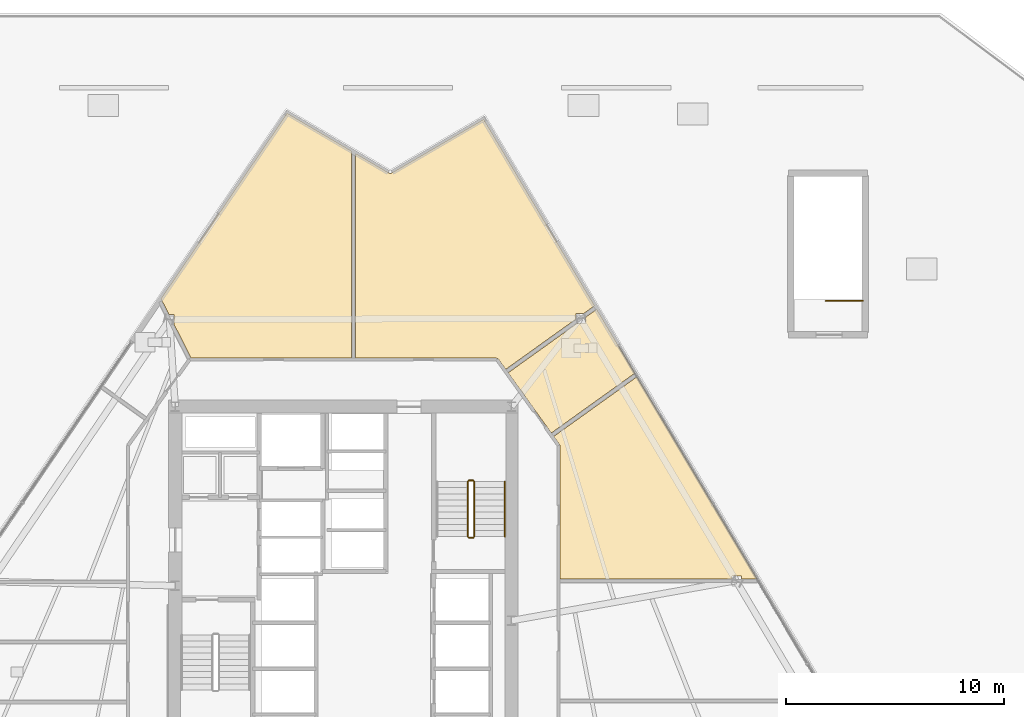
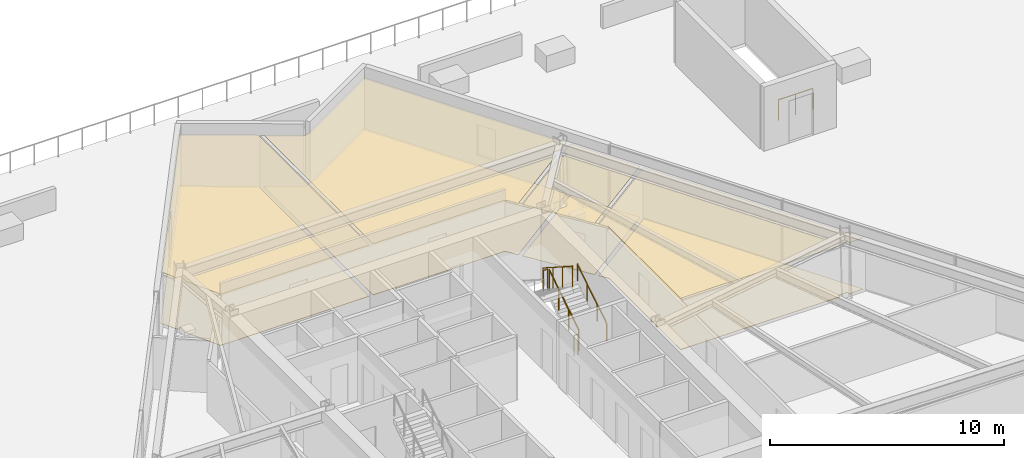
# One storey, part 17 of 19: 8 coverings, 6 railings.
"""IFC4 building model written with IfcOpenShell, lengths in metres."""

from ifc_helpers import new_model, si_unit, direction, frame, origin, origin_2d, place, context, subcontext, project, spatial, polyline, circle, outline, extrude, material, layer, layer_set, type_object, element, save


model = new_model("IFC4")

# Units and contexts
model_context = context("Model", 3, precision=1e-05, world=origin(), true_north=direction((0.0, 1.0)))
body_context = subcontext(model_context, "Body", "Model", "MODEL_VIEW")
ifc_project = project(units=[si_unit("LENGTHUNIT", "METRE"), si_unit("AREAUNIT", "SQUARE_METRE"), si_unit("VOLUMEUNIT", "CUBIC_METRE"), si_unit("PLANEANGLEUNIT", "RADIAN"), si_unit("MASSUNIT", "GRAM", prefix="KILO")], contexts=[model_context])

# Site, building, storey
site_placement = place(None, origin())
site = spatial("IfcSite", under=ifc_project, at=site_placement, CompositionType="ELEMENT")
building_placement = place(site_placement, origin())
building = spatial("IfcBuilding", under=site, at=building_placement, Name="Savorim Split Tower", CompositionType="ELEMENT")
storey_placement = place(building_placement, frame((0.0, 0.0, 26.39990234375)))
storey = spatial("IfcBuildingStorey", under=building, at=storey_placement, Name="L06", CompositionType="ELEMENT", Elevation=26.39990234375)

# Coverings
ifc_material_1 = material(Name="Mineral Fibre Acoustic Ceiling")
ifc_layer_1 = layer(ifc_material_1, 0.02490234375)
ifc_layer_set_1 = layer_set([ifc_layer_1], Name="COV-CEIL-25")
covering_type_1 = type_object("IfcCoveringType", Name="COV-CEIL-25", PredefinedType="CEILING", material=ifc_layer_set_1)
covering_1_placement = place(storey_placement, frame((0.0, 0.0, 2.670166015625)))
element("IfcCovering", 1, at=covering_1_placement, inside=storey, type_object=covering_type_1, Name="L06 Communal Dining Hall Acoustic Ceiling", PredefinedType="CEILING", context=body_context, shape_type="SweptSolid", body=[
    extrude(outline(polyline([(18.2333984375, 2.45263671875), (18.2333984375, 2.314697265625), (18.94677734375, 2.314697265625), (18.948486328125, 2.314697265625), (13.446044921875, 11.568115234375), (9.637451171875, 8.839111328125), (9.893798828125, 8.4814453125), (9.901611328125, 8.46923828125), (9.908203125, 8.456298828125), (9.913330078125, 8.44287109375), (9.9169921875, 8.4287109375), (9.919189453125, 8.41455078125), (9.919921875, 8.39990234375), (9.919921875, 2.314697265625), (17.797607421875, 2.314697265625), (17.797607421875, 2.45263671875), (18.2333984375, 2.45263671875)])), origin(), (0.0, 0.0, 1.0), 0.02490234375),
])
covering_2_placement = place(storey_placement, frame((0.0, 0.0, 2.670166015625)))
element("IfcCovering", 2, at=covering_2_placement, inside=storey, type_object=covering_type_1, Name="L06 Shared Bathroom Acoustic Ceiling", PredefinedType="CEILING", context=body_context, shape_type="SweptSolid", body=[
    extrude(outline(polyline([(11.08251953125, 14.012939453125), (10.702392578125, 14.012939453125), (7.54931640625, 11.753662109375), (9.52685546875, 8.99365234375), (13.3486328125, 11.73193359375), (11.60693359375, 14.660888671875), (11.08251953125, 14.28515625), (11.08251953125, 14.012939453125)])), origin(), (0.0, 0.0, 1.0), 0.02490234375),
])
covering_3_placement = place(storey_placement, frame((0.0, 0.0, 2.670166015625)))
element("IfcCovering", 3, at=covering_3_placement, inside=storey, type_object=covering_type_1, Name="L06 Co-Working Commons Acoustic Ceiling", PredefinedType="CEILING", context=body_context, shape_type="SweptSolid", body=[
    extrude(outline(polyline([(2.110107421875, 20.895263671875), (2.099365234375, 20.899658203125), (2.089111328125, 20.90478515625), (0.5625, 21.80224609375), (0.5625, 12.419921875), (7.0, 12.419921875), (7.01318359375, 12.41943359375), (7.0263671875, 12.41748046875), (7.039306640625, 12.414306640625), (7.052001953125, 12.409912109375), (7.06396484375, 12.404541015625), (7.075439453125, 12.39794921875), (7.086181640625, 12.39013671875), (7.096435546875, 12.381591796875), (7.105712890625, 12.3720703125), (7.11376953125, 12.361572265625), (7.438720703125, 11.908203125), (10.646484375, 14.20654296875), (10.646484375, 14.47900390625), (11.026611328125, 14.47900390625), (11.462158203125, 14.791015625), (11.509521484375, 14.824951171875), (6.431396484375, 23.36474609375), (2.21044921875, 20.90478515625), (2.2001953125, 20.8994140625), (2.189453125, 20.89501953125), (2.178466796875, 20.891845703125), (2.1669921875, 20.8896484375), (2.155517578125, 20.888427734375), (2.14404296875, 20.888427734375), (2.132568359375, 20.8896484375), (2.12109375, 20.891845703125), (2.110107421875, 20.895263671875)])), origin(), (0.0, 0.0, 1.0), 0.02490234375),
])
covering_4_placement = place(storey_placement, frame((0.0, 0.0, 2.670166015625)))
element("IfcCovering", 4, at=covering_4_placement, inside=storey, type_object=covering_type_1, Name="L06 Maker Workshop Acoustic Ceiling", PredefinedType="CEILING", context=body_context, shape_type="SweptSolid", body=[
    extrude(outline(polyline([(-6.965087890625, 12.419921875), (0.37255859375, 12.419921875), (0.37255859375, 21.913818359375), (-2.572509765625, 23.644775390625), (-8.3701171875, 15.1220703125), (-8.346923828125, 15.1337890625), (-7.98876953125, 14.43017578125), (-7.7587890625, 14.43017578125), (-7.7587890625, 13.978515625), (-6.979248046875, 12.447509765625), (-6.965087890625, 12.419921875)])), origin(), (0.0, 0.0, 1.0), 0.02490234375),
])
ifc_material_2 = material(Name="Porcelain Stoneware Flooring", Category="masonry")
ifc_layer_2 = layer(ifc_material_2, 0.02001953125)
ifc_layer_set_2 = layer_set([ifc_layer_2], Name="COV-FLOR-20")
covering_type_2 = type_object("IfcCoveringType", Name="COV-FLOR-20", PredefinedType="FLOORING", material=ifc_layer_set_2)
covering_5_placement = place(storey_placement, origin())
element("IfcCovering", 5, at=covering_5_placement, inside=storey, type_object=covering_type_2, Name="L06 Communal Dining Hall Porcelain Flooring", PredefinedType="FLOORING", context=body_context, shape_type="SweptSolid", body=[
    extrude(outline(polyline([(18.2333984375, 2.45263671875), (18.2333984375, 2.314697265625), (18.94677734375, 2.314697265625), (18.948486328125, 2.314697265625), (13.446044921875, 11.568115234375), (9.637451171875, 8.839111328125), (9.893798828125, 8.4814453125), (9.901611328125, 8.46923828125), (9.908203125, 8.456298828125), (9.913330078125, 8.44287109375), (9.9169921875, 8.4287109375), (9.919189453125, 8.41455078125), (9.919921875, 8.39990234375), (9.919921875, 2.314697265625), (17.797607421875, 2.314697265625), (17.797607421875, 2.45263671875), (18.2333984375, 2.45263671875)])), origin(), (0.0, 0.0, 1.0), 0.02001953125),
])
covering_6_placement = place(storey_placement, origin())
element("IfcCovering", 6, at=covering_6_placement, inside=storey, type_object=covering_type_2, Name="L06 Shared Bathroom Porcelain Flooring", PredefinedType="FLOORING", context=body_context, shape_type="SweptSolid", body=[
    extrude(outline(polyline([(11.08251953125, 14.012939453125), (10.702392578125, 14.012939453125), (7.54931640625, 11.753662109375), (9.52685546875, 8.99365234375), (13.3486328125, 11.73193359375), (11.60693359375, 14.660888671875), (11.08251953125, 14.28515625), (11.08251953125, 14.012939453125)])), origin(), (0.0, 0.0, 1.0), 0.02001953125),
])
covering_7_placement = place(storey_placement, origin())
element("IfcCovering", 7, at=covering_7_placement, inside=storey, type_object=covering_type_2, Name="L06 Co-Working Commons Porcelain Flooring", PredefinedType="FLOORING", context=body_context, shape_type="SweptSolid", body=[
    extrude(outline(polyline([(2.110107421875, 20.895263671875), (2.099365234375, 20.899658203125), (2.089111328125, 20.90478515625), (0.5625, 21.80224609375), (0.5625, 12.419921875), (7.0, 12.419921875), (7.01318359375, 12.41943359375), (7.0263671875, 12.41748046875), (7.039306640625, 12.414306640625), (7.052001953125, 12.409912109375), (7.06396484375, 12.404541015625), (7.075439453125, 12.39794921875), (7.086181640625, 12.39013671875), (7.096435546875, 12.381591796875), (7.105712890625, 12.3720703125), (7.11376953125, 12.361572265625), (7.438720703125, 11.908203125), (10.646484375, 14.20654296875), (10.646484375, 14.47900390625), (11.026611328125, 14.47900390625), (11.462158203125, 14.791015625), (11.509521484375, 14.824951171875), (6.431396484375, 23.36474609375), (2.21044921875, 20.90478515625), (2.2001953125, 20.8994140625), (2.189453125, 20.89501953125), (2.178466796875, 20.891845703125), (2.1669921875, 20.8896484375), (2.155517578125, 20.888427734375), (2.14404296875, 20.888427734375), (2.132568359375, 20.8896484375), (2.12109375, 20.891845703125), (2.110107421875, 20.895263671875)])), origin(), (0.0, 0.0, 1.0), 0.02001953125),
])
covering_8_placement = place(storey_placement, origin())
element("IfcCovering", 8, at=covering_8_placement, inside=storey, type_object=covering_type_2, Name="L06 Maker Workshop Porcelain Flooring", PredefinedType="FLOORING", context=body_context, shape_type="SweptSolid", body=[
    extrude(outline(polyline([(-6.965087890625, 12.419921875), (0.37255859375, 12.419921875), (0.37255859375, 21.913818359375), (-2.572509765625, 23.644775390625), (-8.3701171875, 15.1220703125), (-8.346923828125, 15.1337890625), (-7.98876953125, 14.43017578125), (-7.7587890625, 14.43017578125), (-7.7587890625, 13.978515625), (-6.979248046875, 12.447509765625), (-6.965087890625, 12.419921875)])), origin(), (0.0, 0.0, 1.0), 0.02001953125),
])

# Railings
ifc_material_3 = material(Name="Galvanised Painted Steel Balustrade", Category="steel")
railing_type_1 = type_object("IfcRailingType", Name="RLG-HR-900", PredefinedType="HANDRAIL", material=ifc_material_3)
railing_1_placement = place(storey_placement, frame((7.39990234375, 4.25, 0.18017578125)))
element("IfcRailing", 9, at=railing_1_placement, inside=storey, type_object=railing_type_1, Name="L06 ST-2 stair handrail 1", PredefinedType="HANDRAIL", context=body_context, shape_type="SweptSolid", body=[
    extrude(circle(Radius=0.02392578125, at=origin_2d()), frame((0.0, 0.0, 0.8759765625), z_axis=(0.0, 0.841199657755, 0.540724639528), x_axis=(-1.0, 0.0, 0.0)), (0.0, 0.0, 1.0), 2.995849609375),
    extrude(circle(Radius=0.02099609375, at=origin_2d()), origin(), (0.0, 0.0, 1.0), 0.851806640625),
    extrude(circle(Radius=0.02099609375, at=origin_2d()), frame((0.0, 0.840087890625, 0.5400390625)), (0.0, 0.0, 1.0), 0.851806640625),
    extrude(circle(Radius=0.02099609375, at=origin_2d()), frame((0.0, 1.679931640625, 1.079833984375)), (0.0, 0.0, 1.0), 0.851806640625),
    extrude(circle(Radius=0.02099609375, at=origin_2d()), frame((0.0, 2.52001953125, 1.619873046875)), (0.0, 0.0, 1.0), 0.851806640625),
])
railing_type_2 = type_object("IfcRailingType", Name="RLG-STG-1100", PredefinedType="BALUSTRADE", material=ifc_material_3)
railing_2_placement = place(storey_placement, frame((6.0, 4.25, 0.18017578125)))
element("IfcRailing", 10, at=railing_2_placement, inside=storey, type_object=railing_type_2, Name="L06 ST-2 stair guard 1", PredefinedType="BALUSTRADE", context=body_context, shape_type="SweptSolid", body=[
    extrude(circle(Radius=0.02392578125, at=origin_2d()), frame((0.0, 0.0, 1.076171875), z_axis=(0.0, 0.841199657755, 0.540724639528), x_axis=(-1.0, 0.0, 0.0)), (0.0, 0.0, 1.0), 2.995849609375),
    extrude(circle(Radius=0.02099609375, at=origin_2d()), origin(), (0.0, 0.0, 1.0), 1.052001953125),
    extrude(circle(Radius=0.02099609375, at=origin_2d()), frame((0.0, 0.840087890625, 0.5400390625)), (0.0, 0.0, 1.0), 1.052001953125),
    extrude(circle(Radius=0.02099609375, at=origin_2d()), frame((0.0, 1.679931640625, 1.079833984375)), (0.0, 0.0, 1.0), 1.052001953125),
    extrude(circle(Radius=0.02099609375, at=origin_2d()), frame((0.0, 2.52001953125, 1.619873046875)), (0.0, 0.0, 1.0), 1.052001953125),
])
railing_3_placement = place(storey_placement, frame((5.949951171875, 6.820068359375, 1.800048828125)))
element("IfcRailing", 11, at=railing_3_placement, inside=storey, type_object=railing_type_2, Name="L06 ST-2 stair guard 2", PredefinedType="BALUSTRADE", context=body_context, shape_type="SweptSolid", body=[
    extrude(circle(Radius=0.02392578125, at=origin_2d()), frame((0.0, 0.0, 1.076171875), z_axis=(-1.0, 0.0, 0.0), x_axis=(0.0, -1.0, 0.0)), (0.0, 0.0, 1.0), 0.199951171875),
    extrude(circle(Radius=0.02099609375, at=origin_2d()), origin(), (0.0, 0.0, 1.0), 1.052001953125),
    extrude(circle(Radius=0.02099609375, at=origin_2d()), frame((-0.199951171875, 0.0, 0.0)), (0.0, 0.0, 1.0), 1.052001953125),
])
railing_4_placement = place(storey_placement, frame((5.699951171875, 6.77001953125, 1.97998046875)))
element("IfcRailing", 12, at=railing_4_placement, inside=storey, type_object=railing_type_2, Name="L06 ST-2 stair guard 3", PredefinedType="BALUSTRADE", context=body_context, shape_type="SweptSolid", body=[
    extrude(circle(Radius=0.02392578125, at=origin_2d()), frame((0.0, 0.0, 1.076171875), z_axis=(0.0, -0.841162588446, 0.540782303519), x_axis=(1.0, 0.0, 0.0)), (0.0, 0.0, 1.0), 2.995849609375),
    extrude(circle(Radius=0.02099609375, at=origin_2d()), origin(), (0.0, 0.0, 1.0), 1.052001953125),
    extrude(circle(Radius=0.02099609375, at=origin_2d()), frame((0.0, -0.840087890625, 0.5400390625)), (0.0, 0.0, 1.0), 1.052001953125),
    extrude(circle(Radius=0.02099609375, at=origin_2d()), frame((0.0, -1.679931640625, 1.080078125)), (0.0, 0.0, 1.0), 1.052001953125),
    extrude(circle(Radius=0.02099609375, at=origin_2d()), frame((0.0, -2.52001953125, 1.6201171875)), (0.0, 0.0, 1.0), 1.052001953125),
])
railing_5_placement = place(storey_placement, frame((5.949951171875, 4.199951171875, 0.0)))
element("IfcRailing", 13, at=railing_5_placement, inside=storey, type_object=railing_type_2, Name="L06 ST-2 stair guard 4", PredefinedType="BALUSTRADE", context=body_context, shape_type="SweptSolid", body=[
    extrude(circle(Radius=0.02392578125, at=origin_2d()), frame((0.0, 0.0, 1.076171875), z_axis=(-1.0, 0.0, 0.0), x_axis=(0.0, -1.0, 0.0)), (0.0, 0.0, 1.0), 0.199951171875),
    extrude(circle(Radius=0.02099609375, at=origin_2d()), origin(), (0.0, 0.0, 1.0), 1.052001953125),
    extrude(circle(Radius=0.02099609375, at=origin_2d()), frame((-0.199951171875, 0.0, 0.0)), (0.0, 0.0, 1.0), 1.052001953125),
])
railing_6_placement = place(storey_placement, frame((23.800048828125, 15.050048828125, 0.0)))
element("IfcRailing", 14, at=railing_6_placement, inside=storey, type_object=railing_type_2, Name="L06 ST-3 top well guard 1", PredefinedType="BALUSTRADE", context=body_context, shape_type="SweptSolid", body=[
    extrude(circle(Radius=0.02392578125, at=origin_2d()), frame((0.0, 0.0, 1.076171875), z_axis=(-1.0, 0.0, 0.0), x_axis=(0.0, -1.0, 0.0)), (0.0, 0.0, 1.0), 1.699951171875),
    extrude(circle(Radius=0.02099609375, at=origin_2d()), origin(), (0.0, 0.0, 1.0), 1.052001953125),
    extrude(circle(Radius=0.02099609375, at=origin_2d()), frame((-0.85009765625, 0.0, 0.0)), (0.0, 0.0, 1.0), 1.052001953125),
    extrude(circle(Radius=0.02099609375, at=origin_2d()), frame((-1.699951171875, 0.0, 0.0)), (0.0, 0.0, 1.0), 1.052001953125),
])

save(model, "model.ifc")
